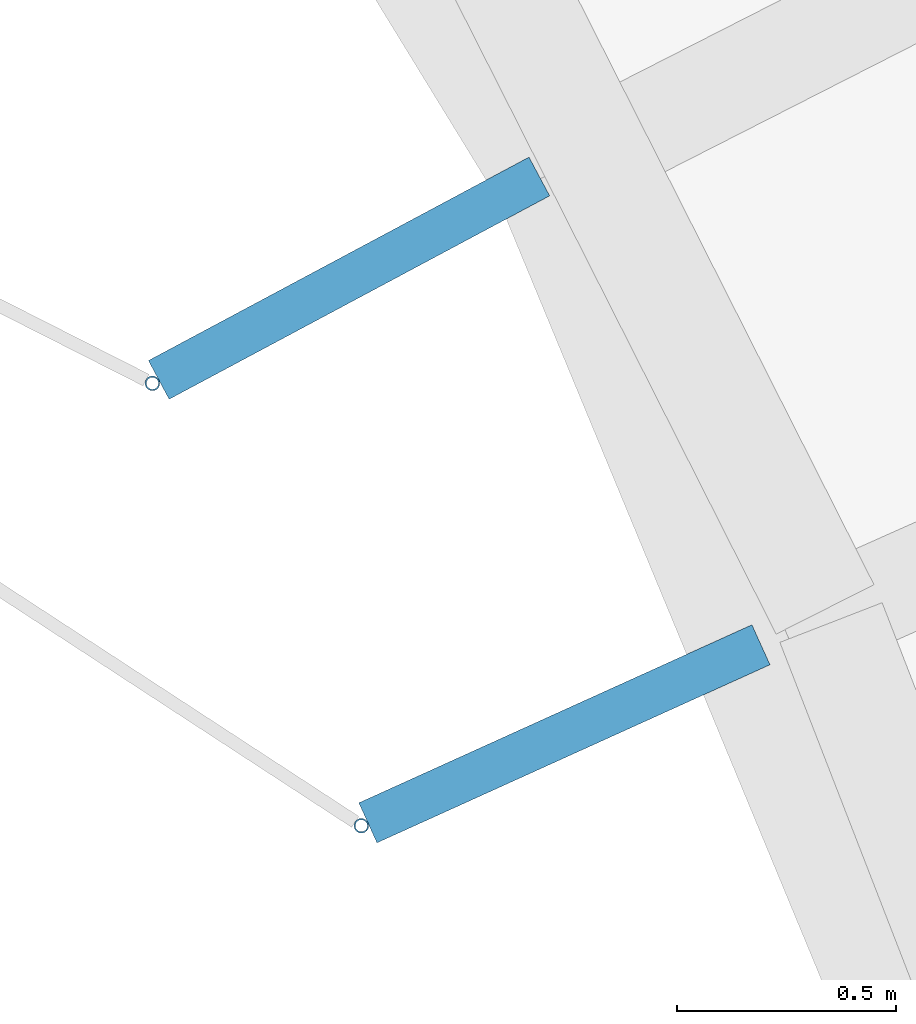
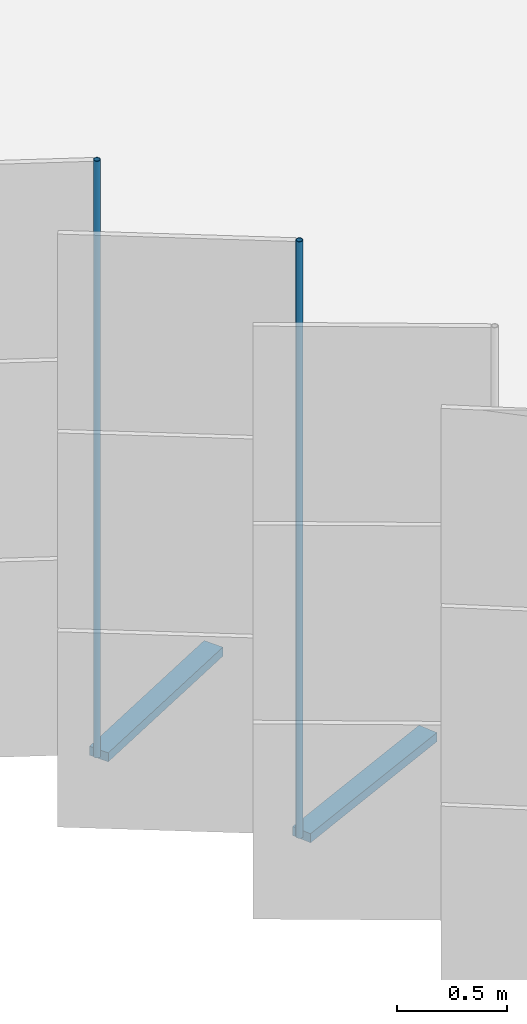
# One storey, part 106 of 199: 4 discrete accessories.
"""IFC4 building model written with IfcOpenShell, lengths in metres."""

from ifc_helpers import new_model, si_unit, direction, frame, origin, origin_2d, place, context, subcontext, project, spatial, rectangle, hollow_circle, extrude, material, material_profile, profile_set, type_object, element, save


model = new_model("IFC4")

# Units and contexts
model_context = context("Model", 3, precision=1e-05, world=origin(), true_north=direction((0.0, 1.0)))
body_context = subcontext(model_context, "Body", "Model", "MODEL_VIEW")
ifc_project = project(units=[si_unit("LENGTHUNIT", "METRE"), si_unit("AREAUNIT", "SQUARE_METRE"), si_unit("VOLUMEUNIT", "CUBIC_METRE"), si_unit("PLANEANGLEUNIT", "RADIAN"), si_unit("MASSUNIT", "GRAM", prefix="KILO")], contexts=[model_context])

# Site, building, storey
site_placement = place(None, origin())
site = spatial("IfcSite", under=ifc_project, at=site_placement, CompositionType="ELEMENT")
building_placement = place(site_placement, origin())
building = spatial("IfcBuilding", under=site, at=building_placement, Name="Parallax Yard Mobility Hub", CompositionType="ELEMENT")
storey_placement = place(building_placement, frame((0.0, 0.0, 9.89990234375)))
storey = spatial("IfcBuildingStorey", under=building, at=storey_placement, Name="L03", CompositionType="ELEMENT", Elevation=9.89990234375)

# Discrete accessories
ifc_material_1 = material(Name="Steel ASTM A36, hot-dip galvanised", Category="steel")
discrete_accessory_type_1 = type_object("IfcDiscreteAccessoryType", Name="Hinge bracket plate 100x50", PredefinedType="BRACKET", material=ifc_material_1)
for number, where, z_axis, x_axis, name in (
    (1, (192.1044921875, 99.98486328125, -0.02490234375), (0.0, 0.0, 1.0), (-0.881921264348, -0.471396736826, 0.0), "Hinge bracket plate bay 21.4 level L03"),
    (2, (192.595703125, 98.94580078125, -0.02490234375), (0.0, 0.0, 1.0), (-0.910863824921, -0.412707029804, 0.0), "Hinge bracket plate bay 21.5 level L03"),
):
    element("IfcDiscreteAccessory", number, at=place(storey_placement, frame(where, z_axis=z_axis, x_axis=x_axis)), inside=storey, type_object=discrete_accessory_type_1, Name=name, PredefinedType="BRACKET", context=body_context, shape_type="SweptSolid", body=[
        extrude(rectangle(XDim=0.984130859375, YDim=0.10009765625, at=origin_2d()), origin(), (0.0, 0.0, 1.0), 0.050048828125),
    ])
ifc_material_2 = material(Name="Steel ASTM A500 Gr C, hot-dip galvanised", Category="steel")
ifc_material_profile = material_profile(ifc_material_2, hollow_circle(Radius=0.016845703125, WallThickness=0.003173828125, at=origin_2d()), Name="CHS 33.7x3.2")
ifc_profile_set = profile_set([ifc_material_profile], Name="Steel ASTM A500 Gr C, hot-dip galvanised")
discrete_accessory_type_2 = type_object("IfcDiscreteAccessoryType", Name="Hinge post CHS 33.7x3.2", PredefinedType="BRACKET", material=ifc_profile_set)
for number, where, z_axis, x_axis, name in (
    (3, (191.656005859375, 99.7451171875, 0.0), (0.0, 0.0, 1.0), (1.0, 0.0, 0.0), "Hinge post bay 21.4 level L03"),
    (4, (192.132568359375, 98.736083984375, 0.0), (0.0, 0.0, 1.0), (1.0, 0.0, 0.0), "Hinge post bay 21.5 level L03"),
):
    element("IfcDiscreteAccessory", number, at=place(storey_placement, frame(where, z_axis=z_axis, x_axis=x_axis)), inside=storey, type_object=discrete_accessory_type_2, Name=name, PredefinedType="BRACKET", context=body_context, shape_type="SweptSolid", body=[
        extrude(hollow_circle(Radius=0.016845703125, WallThickness=0.003173828125, at=origin_2d()), origin(), (0.0, 0.0, 1.0), 3.300048828125),
    ])

save(model, "model.ifc")
